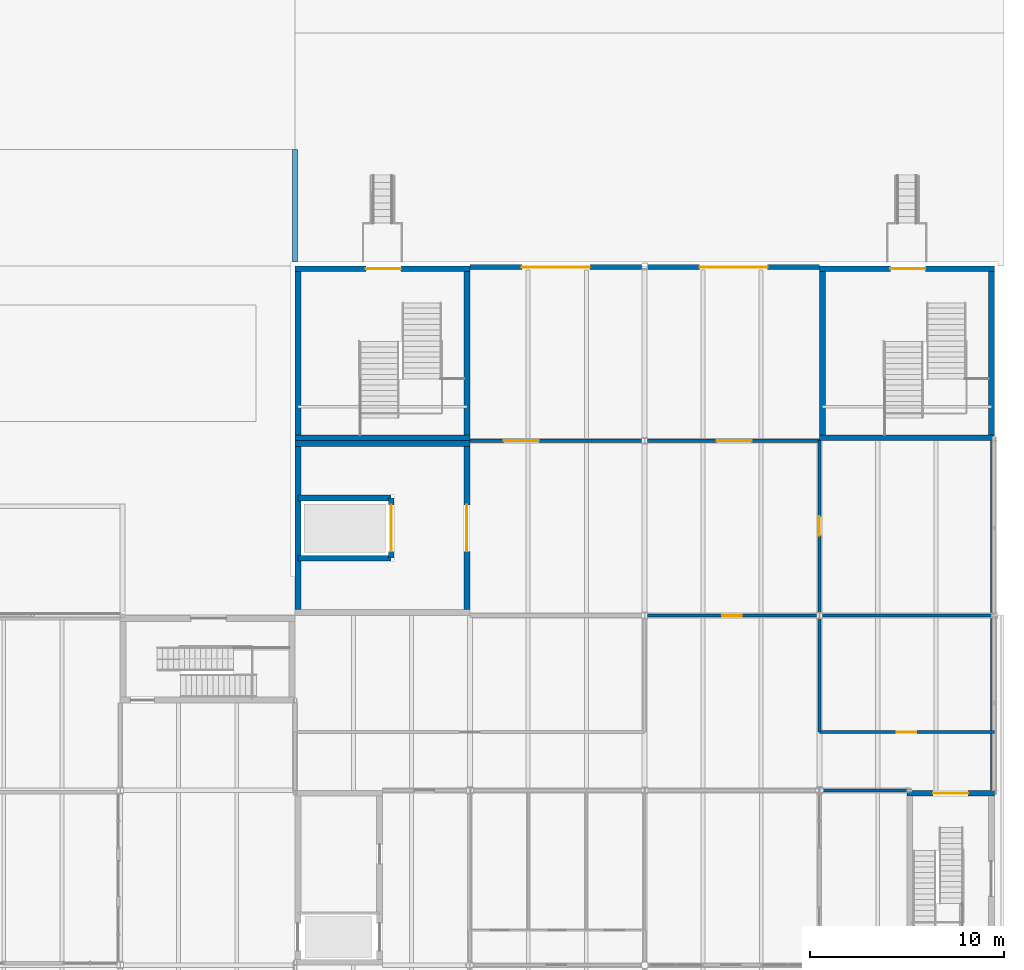
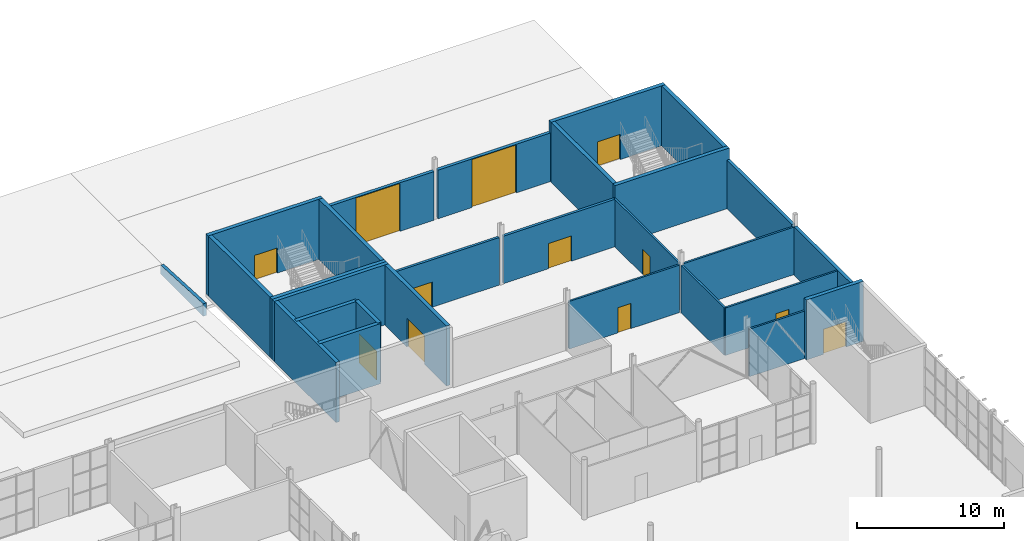
# One storey, part 40 of 63: 28 walls, 12 doors, 12 openings.
"""IFC4 building model written with IfcOpenShell, lengths in metres."""

from ifc_helpers import new_model, si_unit, direction, frame, frame_2d, origin, place, context, subcontext, project, spatial, polyline, rectangle, outline, extrude, material, layer, layer_set, type_object, element, fill, save


model = new_model("IFC4")

# Units and contexts
model_context = context("Model", 3, precision=1e-05, world=origin(), true_north=direction((0.0, 1.0)))
body_context = subcontext(model_context, "Body", "Model", "MODEL_VIEW")
ifc_project = project(units=[si_unit("LENGTHUNIT", "METRE"), si_unit("AREAUNIT", "SQUARE_METRE"), si_unit("VOLUMEUNIT", "CUBIC_METRE"), si_unit("PLANEANGLEUNIT", "RADIAN"), si_unit("MASSUNIT", "GRAM", prefix="KILO")], contexts=[model_context])

# Site, building, storey
site_placement = place(None, origin())
site = spatial("IfcSite", under=ifc_project, at=site_placement, CompositionType="ELEMENT")
building_placement = place(site_placement, origin())
building = spatial("IfcBuilding", under=site, at=building_placement, Name="Halyard Row Museum", CompositionType="ELEMENT")
storey_placement = place(building_placement, origin())
storey = spatial("IfcBuildingStorey", under=building, at=storey_placement, Name="L00", CompositionType="ELEMENT", Elevation=0.0)

# Wall, opening, door
ifc_material_1 = material(Name="Concrete masonry 15 MPa", Category="masonry")
ifc_layer_1 = layer(ifc_material_1, 0.199951171875)
ifc_layer_set_1 = layer_set([ifc_layer_1], Name="Concrete masonry 15 MPa")
wall_type_1 = type_object("IfcWallType", Name="Blockwork wall 200 fire rated", PredefinedType="PARTITIONING", material=ifc_layer_set_1)
wall_1_placement = place(storey_placement, frame((81.0, 54.0, 0.0), z_axis=(0.0, 0.0, 1.0), x_axis=(1.0, 0.0, 0.0)))
wall_1 = element("IfcWall", 1, at=wall_1_placement, inside=storey, type_object=wall_type_1, Name="Partition Receiving / Loading Dock", PredefinedType="PARTITIONING", context=body_context, shape_type="SweptSolid", body=[
    extrude(rectangle(XDim=8.847412109375, YDim=0.199951171875, at=frame_2d((4.423828125, 0.0))), origin(), (0.0, 0.0, 1.0), 3.9580078125),
])
opening_1_placement = place(wall_1_placement, frame((1.755126953125, 0.0, 0.0)))
opening_1 = element("IfcOpeningElement", 2, at=opening_1_placement, cuts=wall_1, Name="Opening DL00-046", PredefinedType="OPENING", context=body_context, shape_type="SweptSolid", body=[
    extrude(rectangle(XDim=1.800048828125, YDim=2.10009765625, at=frame_2d((0.89990234375, 1.050048828125))), frame((0.0, 0.10986328125, 0.0), z_axis=(0.0, -1.0, 0.0), x_axis=(1.0, 0.0, 0.0)), (0.0, 0.0, 1.0), 0.219970703125),
])
ifc_material_2 = material(Name="Timber veneered door leaf and softwood frame", Category="wood")
door_type_1 = type_object("IfcDoorType", Name="Double door 1800 x 2100 fire rated", OperationType="NOTDEFINED", PredefinedType="DOOR", material=ifc_material_2)
door_1_placement = place(opening_1_placement, origin())
door_1 = element("IfcDoor", 3, at=door_1_placement, inside=storey, type_object=door_type_1, Name="Door Loading Dock to Receiving", OperationType="DOUBLE_DOOR_SINGLE_SWING", OverallHeight=2.10009765625, OverallWidth=1.800048828125, PredefinedType="DOOR", context=body_context, shape_type="SweptSolid", body=[
    extrude(rectangle(XDim=1.800048828125, YDim=2.10009765625, at=frame_2d((0.89990234375, 1.050048828125))), frame((0.0, 0.02490234375, 0.0), z_axis=(0.0, -1.0, 0.0), x_axis=(1.0, 0.0, 0.0)), (0.0, 0.0, 1.0), 0.050048828125),
])
fill(opening_1, door_1)

wall_2_placement = place(storey_placement, frame((90.152587890625, 54.0, 0.0), z_axis=(0.0, 0.0, 1.0), x_axis=(1.0, 0.0, 0.0)))
wall_2 = element("IfcWall", 4, at=wall_2_placement, inside=storey, type_object=wall_type_1, Name="Partition Receiving / Loading Dock", PredefinedType="PARTITIONING", context=body_context, shape_type="SweptSolid", body=[
    extrude(rectangle(XDim=8.847412109375, YDim=0.199951171875, at=frame_2d((4.423828125, 0.0))), origin(), (0.0, 0.0, 1.0), 3.9580078125),
])
opening_2_placement = place(wall_2_placement, frame((3.550048828125, 0.0, 0.0)))
opening_2 = element("IfcOpeningElement", 5, at=opening_2_placement, cuts=wall_2, Name="Opening DL00-047", PredefinedType="OPENING", context=body_context, shape_type="SweptSolid", body=[
    extrude(rectangle(XDim=1.800048828125, YDim=2.10009765625, at=frame_2d((0.89990234375, 1.050048828125))), frame((0.0, 0.10986328125, 0.0), z_axis=(0.0, -1.0, 0.0), x_axis=(1.0, 0.0, 0.0)), (0.0, 0.0, 1.0), 0.219970703125),
])
door_2_placement = place(opening_2_placement, origin())
door_2 = element("IfcDoor", 6, at=door_2_placement, inside=storey, type_object=door_type_1, Name="Door Loading Dock to Receiving", OperationType="DOUBLE_DOOR_SINGLE_SWING", OverallHeight=2.10009765625, OverallWidth=1.800048828125, PredefinedType="DOOR", context=body_context, shape_type="SweptSolid", body=[
    extrude(rectangle(XDim=1.800048828125, YDim=2.10009765625, at=frame_2d((0.89990234375, 1.050048828125))), frame((0.0, 0.02490234375, 0.0), z_axis=(0.0, -1.0, 0.0), x_axis=(1.0, 0.0, 0.0)), (0.0, 0.0, 1.0), 0.050048828125),
])
fill(opening_2, door_2)

# Walls
ifc_material_3 = material(Name="Precast concrete C40/50", Category="concrete")
ifc_layer_2 = layer(ifc_material_3, 0.25)
ifc_layer_set_2 = layer_set([ifc_layer_2], Name="Precast concrete C40/50")
wall_type_2 = type_object("IfcWallType", Name="Board-formed concrete wall 250", PredefinedType="SOLIDWALL", material=ifc_layer_set_2)
for number, where, z_axis, x_axis, name in (
    (7, (107.93505859375, 36.0, 0.0), (0.0, 0.0, 1.0), (0.0, 1.0, 0.0), "Wall WL00-801"),
    (8, (107.93505859375, 45.14990234375, 0.0), (0.0, 0.0, 1.0), (0.0, 1.0, 0.0), "Wall WL00-802"),
):
    element("IfcWall", number, at=place(storey_placement, frame(where, z_axis=z_axis, x_axis=x_axis)), inside=storey, type_object=wall_type_2, Name=name, PredefinedType="SOLIDWALL", context=body_context, shape_type="SweptSolid", body=[
        extrude(rectangle(XDim=8.85009765625, YDim=0.25, at=frame_2d((4.425048828125, 0.0))), origin(), (0.0, 0.0, 1.0), 4.050048828125),
    ])

# Wall, opening, door
wall_3_placement = place(storey_placement, frame((90.14990234375, 62.93505859375, 0.0), z_axis=(0.0, 0.0, 1.0), x_axis=(1.0, 0.0, 0.0)))
wall_3 = element("IfcWall", 9, at=wall_3_placement, inside=storey, type_object=wall_type_2, Name="Wall WL00-803", PredefinedType="SOLIDWALL", context=body_context, shape_type="SweptSolid", body=[
    extrude(rectangle(XDim=8.85009765625, YDim=0.25, at=frame_2d((4.425048828125, 0.0))), origin(), (0.0, 0.0, 1.0), 4.050048828125),
])
opening_3_placement = place(wall_3_placement, frame((2.675048828125, 0.0, 0.0)))
opening_3 = element("IfcOpeningElement", 10, at=opening_3_placement, cuts=wall_3, Name="Opening DL00-404", PredefinedType="OPENING", context=body_context, shape_type="SweptSolid", body=[
    extrude(rectangle(XDim=3.5, YDim=4.0, at=frame_2d((1.75, 2.0))), frame((0.0, 0.135009765625, 0.0), z_axis=(0.0, -1.0, 0.0), x_axis=(1.0, 0.0, 0.0)), (0.0, 0.0, 1.0), 0.27001953125),
])
ifc_material_4 = material(Name="Galvanised steel door leaf and frame", Category="steel")
door_type_2 = type_object("IfcDoorType", Name="Door DE3 roller shutter fire rated 3500 x 4000", OperationType="NOTDEFINED", PredefinedType="DOOR", material=ifc_material_4)
door_3_placement = place(opening_3_placement, origin())
door_3 = element("IfcDoor", 11, at=door_3_placement, inside=storey, type_object=door_type_2, Name="Door DL00-404", OperationType="ROLLINGUP", OverallHeight=4.0, OverallWidth=3.5, PredefinedType="DOOR", context=body_context, shape_type="SweptSolid", body=[
    extrude(rectangle(XDim=3.5, YDim=4.0, at=frame_2d((1.75, 2.0))), frame((0.0, 0.02490234375, 0.0), z_axis=(0.0, -1.0, 0.0), x_axis=(1.0, 0.0, 0.0)), (0.0, 0.0, 1.0), 0.050048828125),
])
fill(opening_3, door_3)

wall_4_placement = place(storey_placement, frame((81.0, 62.93505859375, 0.0), z_axis=(0.0, 0.0, 1.0), x_axis=(1.0, 0.0, 0.0)))
wall_4 = element("IfcWall", 12, at=wall_4_placement, inside=storey, type_object=wall_type_2, Name="Wall WL00-804", PredefinedType="SOLIDWALL", context=body_context, shape_type="SweptSolid", body=[
    extrude(rectangle(XDim=8.85009765625, YDim=0.25, at=frame_2d((4.425048828125, 0.0))), origin(), (0.0, 0.0, 1.0), 4.050048828125),
])
opening_4_placement = place(wall_4_placement, frame((2.675048828125, 0.0, 0.0)))
opening_4 = element("IfcOpeningElement", 13, at=opening_4_placement, cuts=wall_4, Name="Opening DL00-405", PredefinedType="OPENING", context=body_context, shape_type="SweptSolid", body=[
    extrude(rectangle(XDim=3.5, YDim=4.0, at=frame_2d((1.75, 2.0))), frame((0.0, 0.135009765625, 0.0), z_axis=(0.0, -1.0, 0.0), x_axis=(1.0, 0.0, 0.0)), (0.0, 0.0, 1.0), 0.27001953125),
])
door_4_placement = place(opening_4_placement, origin())
door_4 = element("IfcDoor", 14, at=door_4_placement, inside=storey, type_object=door_type_2, Name="Door DL00-405", OperationType="ROLLINGUP", OverallHeight=4.0, OverallWidth=3.5, PredefinedType="DOOR", context=body_context, shape_type="SweptSolid", body=[
    extrude(rectangle(XDim=3.5, YDim=4.0, at=frame_2d((1.75, 2.0))), frame((0.0, 0.02490234375, 0.0), z_axis=(0.0, -1.0, 0.0), x_axis=(1.0, 0.0, 0.0)), (0.0, 0.0, 1.0), 0.050048828125),
])
fill(opening_4, door_4)

# Walls
ifc_material_5 = material(Name="Fire-resisting plasterboard on steel studs", Category="steel")
ifc_layer_3 = layer(ifc_material_5, 0.14990234375)
ifc_layer_set_3 = layer_set([ifc_layer_3], Name="Fire-resisting plasterboard on steel studs")
wall_type_3 = type_object("IfcWallType", Name="Compartment wall 150 fire rated", PredefinedType="PARTITIONING", material=ifc_layer_set_3)
wall_5_placement = place(storey_placement, frame((99.175048828125, 36.0, 0.0), z_axis=(0.0, 0.0, 1.0), x_axis=(1.0, 0.0, 0.0)))
element("IfcWall", 15, at=wall_5_placement, inside=storey, type_object=wall_type_3, Name="Partition Stair Lobby K2C / Object Route", PredefinedType="PARTITIONING", context=body_context, shape_type="SweptSolid", body=[
    extrude(rectangle(XDim=4.324951171875, YDim=0.14990234375, at=frame_2d((2.16259765625, 0.0))), origin(), (0.0, 0.0, 1.0), 3.9580078125),
])
wall_6_placement = place(storey_placement, frame((99.0, 39.0, 0.0), z_axis=(0.0, 0.0, 1.0), x_axis=(0.0, 1.0, 0.0)))
element("IfcWall", 16, at=wall_6_placement, inside=storey, type_object=wall_type_3, Name="Partition Object Route / Conservation Workshop", PredefinedType="PARTITIONING", context=body_context, shape_type="SweptSolid", body=[
    extrude(rectangle(XDim=5.839599609375, YDim=0.14990234375, at=frame_2d((2.919921875, 0.0))), origin(), (0.0, 0.0, 1.0), 3.9580078125),
])

# Wall, opening, door
wall_7_placement = place(storey_placement, frame((99.0, 39.0, 0.0), z_axis=(0.0, 0.0, 1.0), x_axis=(1.0, 0.0, 0.0)))
wall_7 = element("IfcWall", 17, at=wall_7_placement, inside=storey, type_object=wall_type_3, Name="Partition Object Route / Conservation Workshop", PredefinedType="PARTITIONING", context=body_context, shape_type="SweptSolid", body=[
    extrude(rectangle(XDim=9.0, YDim=0.14990234375, at=frame_2d((4.5, 0.0))), origin(), (0.0, 0.0, 1.0), 3.9580078125),
])
opening_5_placement = place(wall_7_placement, frame((3.985107421875, 0.0, 0.0)))
opening_5 = element("IfcOpeningElement", 18, at=opening_5_placement, cuts=wall_7, Name="Opening DL00-044", PredefinedType="OPENING", context=body_context, shape_type="SweptSolid", body=[
    extrude(rectangle(XDim=1.0, YDim=2.10009765625, at=frame_2d((0.5, 1.050048828125))), frame((0.0, 0.0849609375, 0.0), z_axis=(0.0, -1.0, 0.0), x_axis=(1.0, 0.0, 0.0)), (0.0, 0.0, 1.0), 0.169921875),
])
ifc_material_6 = material(Name="Fire-resisting timber door leaf and steel frame", Category="steel")
door_type_3 = type_object("IfcDoorType", Name="Compartment door 1000 x 2100 fire rated", OperationType="NOTDEFINED", PredefinedType="DOOR", material=ifc_material_6)
door_5_placement = place(opening_5_placement, origin())
door_5 = element("IfcDoor", 19, at=door_5_placement, inside=storey, type_object=door_type_3, Name="Door Conservation Workshop to Object Route", OperationType="SINGLE_SWING_LEFT", OverallHeight=2.10009765625, OverallWidth=1.0, PredefinedType="DOOR", context=body_context, shape_type="SweptSolid", body=[
    extrude(rectangle(XDim=1.0, YDim=2.10009765625, at=frame_2d((0.5, 1.050048828125))), frame((0.0, 0.02490234375, 0.0), z_axis=(0.0, -1.0, 0.0), x_axis=(1.0, 0.0, 0.0)), (0.0, 0.0, 1.0), 0.050048828125),
])
fill(opening_5, door_5)

wall_8_placement = place(storey_placement, frame((90.154541015625, 45.0, 0.0), z_axis=(0.0, 0.0, 1.0), x_axis=(1.0, 0.0, 0.0)))
wall_8 = element("IfcWall", 20, at=wall_8_placement, inside=storey, type_object=wall_type_3, Name="Partition Object Route / Receiving", PredefinedType="PARTITIONING", context=body_context, shape_type="SweptSolid", body=[
    extrude(rectangle(XDim=8.69091796875, YDim=0.14990234375, at=frame_2d((4.345458984375, 0.0))), origin(), (0.0, 0.0, 1.0), 3.9580078125),
])
opening_6_placement = place(wall_8_placement, frame((3.85009765625, 0.0, 0.0)))
opening_6 = element("IfcOpeningElement", 21, at=opening_6_placement, cuts=wall_8, Name="Opening DL00-033", PredefinedType="OPENING", context=body_context, shape_type="SweptSolid", body=[
    extrude(rectangle(XDim=1.0, YDim=2.10009765625, at=frame_2d((0.5, 1.050048828125))), frame((0.0, 0.0849609375, 0.0), z_axis=(0.0, -1.0, 0.0), x_axis=(1.0, 0.0, 0.0)), (0.0, 0.0, 1.0), 0.169921875),
])
door_6_placement = place(opening_6_placement, frame((1.0, 0.0, 0.0), z_axis=(0.0, 0.0, 1.0), x_axis=(-1.0, 0.0, 0.0)))
door_6 = element("IfcDoor", 22, at=door_6_placement, inside=storey, type_object=door_type_3, Name="Door Object Route to Receiving", OperationType="SINGLE_SWING_RIGHT", OverallHeight=2.10009765625, OverallWidth=1.0, PredefinedType="DOOR", context=body_context, shape_type="SweptSolid", body=[
    extrude(rectangle(XDim=1.0, YDim=2.10009765625, at=frame_2d((0.5, 1.050048828125))), frame((0.0, 0.02490234375, 0.0), z_axis=(0.0, -1.0, 0.0), x_axis=(1.0, 0.0, 0.0)), (0.0, 0.0, 1.0), 0.050048828125),
])
fill(opening_6, door_6)

# Wall
wall_9_placement = place(storey_placement, frame((99.154541015625, 45.0, 0.0), z_axis=(0.0, 0.0, 1.0), x_axis=(1.0, 0.0, 0.0)))
element("IfcWall", 23, at=wall_9_placement, inside=storey, type_object=wall_type_3, Name="Partition Conservation Workshop / Quarantine", PredefinedType="PARTITIONING", context=body_context, shape_type="SweptSolid", body=[
    extrude(rectangle(XDim=8.695556640625, YDim=0.14990234375, at=frame_2d((4.34765625, 0.0))), origin(), (0.0, 0.0, 1.0), 3.9580078125),
])

# Wall, opening, door
wall_10_placement = place(storey_placement, frame((99.0, 45.160400390625, 0.0), z_axis=(0.0, 0.0, 1.0), x_axis=(0.0, 1.0, 0.0)))
wall_10 = element("IfcWall", 24, at=wall_10_placement, inside=storey, type_object=wall_type_3, Name="Partition Receiving / Quarantine", PredefinedType="PARTITIONING", context=body_context, shape_type="SweptSolid", body=[
    extrude(rectangle(XDim=8.839599609375, YDim=0.14990234375, at=frame_2d((4.419921875, 0.0))), origin(), (0.0, 0.0, 1.0), 3.9580078125),
])
opening_7_placement = place(wall_10_placement, frame((3.949951171875, 0.0, 0.0)))
opening_7 = element("IfcOpeningElement", 25, at=opening_7_placement, cuts=wall_10, Name="Opening DL00-045", PredefinedType="OPENING", context=body_context, shape_type="SweptSolid", body=[
    extrude(rectangle(XDim=1.0, YDim=2.10009765625, at=frame_2d((0.5, 1.050048828125))), frame((0.0, 0.0849609375, 0.0), z_axis=(0.0, -1.0, 0.0), x_axis=(1.0, 0.0, 0.0)), (0.0, 0.0, 1.0), 0.169921875),
])
door_7_placement = place(opening_7_placement, frame((1.0, 0.0, 0.0), z_axis=(0.0, 0.0, 1.0), x_axis=(-1.0, 0.0, 0.0)))
door_7 = element("IfcDoor", 26, at=door_7_placement, inside=storey, type_object=door_type_3, Name="Door Quarantine to Receiving", OperationType="SINGLE_SWING_LEFT", OverallHeight=2.10009765625, OverallWidth=1.0, PredefinedType="DOOR", context=body_context, shape_type="SweptSolid", body=[
    extrude(rectangle(XDim=1.0, YDim=2.10009765625, at=frame_2d((0.5, 1.050048828125))), frame((0.0, 0.02490234375, 0.0), z_axis=(0.0, -1.0, 0.0), x_axis=(1.0, 0.0, 0.0)), (0.0, 0.0, 1.0), 0.050048828125),
])
fill(opening_7, door_7)

ifc_material_7 = material(Name="Concrete 40 MPa", Category="concrete")
ifc_layer_4 = layer(ifc_material_7, 0.300048828125)
ifc_layer_set_4 = layer_set([ifc_layer_4], Name="Concrete 40 MPa")
wall_type_4 = type_object("IfcWallType", Name="Core wall 300 lift shaft", PredefinedType="SOLIDWALL", material=ifc_layer_set_4)
wall_11_placement = place(storey_placement, frame((80.85009765625, 45.300048828125, 0.0), z_axis=(0.0, 0.0, 1.0), x_axis=(0.0, 1.0, 0.0)))
wall_11 = element("IfcWall", 27, at=wall_11_placement, inside=storey, type_object=wall_type_4, Name="Core wall K8 E L00", PredefinedType="SOLIDWALL", context=body_context, shape_type="SweptSolid", body=[
    extrude(rectangle(XDim=8.39990234375, YDim=0.300048828125, at=frame_2d((4.199951171875, 0.0))), origin(), (0.0, 0.0, 1.0), 5.0),
])
opening_8_placement = place(wall_11_placement, frame((3.0, 0.0, 0.0)))
opening_8 = element("IfcOpeningElement", 28, at=opening_8_placement, cuts=wall_11, Name="Opening DL00-023", PredefinedType="OPENING", context=body_context, shape_type="SweptSolid", body=[
    extrude(rectangle(XDim=2.39990234375, YDim=2.39990234375, at=frame_2d((1.199951171875, 1.199951171875))), frame((0.0, 0.159912109375, 0.0), z_axis=(0.0, -1.0, 0.0), x_axis=(1.0, 0.0, 0.0)), (0.0, 0.0, 1.0), 0.320068359375),
])
ifc_material_8 = material(Name="Timber veneered door leaf and softwood frame", Category="wood")
door_type_4 = type_object("IfcDoorType", Name="Double door 2400 x 2400 gallery fire rated", OperationType="NOTDEFINED", PredefinedType="DOOR", material=ifc_material_8)
door_8_placement = place(opening_8_placement, frame((2.39990234375, 0.0, 0.0), z_axis=(0.0, 0.0, 1.0), x_axis=(-1.0, 0.0, 0.0)))
door_8 = element("IfcDoor", 29, at=door_8_placement, inside=storey, type_object=door_type_4, Name="Goods lobby door K8 L00", OperationType="DOUBLE_DOOR_SINGLE_SWING", OverallHeight=2.39990234375, OverallWidth=2.39990234375, PredefinedType="DOOR", context=body_context, shape_type="SweptSolid", body=[
    extrude(rectangle(XDim=2.39990234375, YDim=2.39990234375, at=frame_2d((1.199951171875, 1.199951171875))), frame((0.0, 0.02490234375, 0.0), z_axis=(0.0, -1.0, 0.0), x_axis=(1.0, 0.0, 0.0)), (0.0, 0.0, 1.0), 0.050048828125),
])
fill(opening_8, door_8)

# Walls
wall_12_placement = place(storey_placement, frame((72.0, 53.85009765625, 0.0), z_axis=(0.0, 0.0, 1.0), x_axis=(1.0, 0.0, 0.0)))
element("IfcWall", 30, at=wall_12_placement, inside=storey, type_object=wall_type_4, Name="Core wall K8 N L00", PredefinedType="SOLIDWALL", context=body_context, shape_type="SweptSolid", body=[
    extrude(rectangle(XDim=9.0, YDim=0.300048828125, at=frame_2d((4.5, 0.0))), origin(), (0.0, 0.0, 1.0), 5.0),
])
wall_13_placement = place(storey_placement, frame((72.14990234375, 45.300048828125, 0.0), z_axis=(0.0, 0.0, 1.0), x_axis=(0.0, 1.0, 0.0)))
element("IfcWall", 31, at=wall_13_placement, inside=storey, type_object=wall_type_4, Name="Core wall K8 W L00", PredefinedType="SOLIDWALL", context=body_context, shape_type="SweptSolid", body=[
    extrude(rectangle(XDim=8.39990234375, YDim=0.300048828125, at=frame_2d((4.199951171875, 0.0))), origin(), (0.0, 0.0, 1.0), 5.0),
])

# Wall, opening, door
wall_14_placement = place(storey_placement, frame((76.949951171875, 47.949951171875, 0.0), z_axis=(0.0, 0.0, 1.0), x_axis=(0.0, 1.0, 0.0)))
wall_14 = element("IfcWall", 32, at=wall_14_placement, inside=storey, type_object=wall_type_4, Name="Shaft wall GL1 front L00", PredefinedType="SOLIDWALL", context=body_context, shape_type="SweptSolid", body=[
    extrude(rectangle(XDim=3.10009765625, YDim=0.300048828125, at=frame_2d((1.550048828125, 0.0))), origin(), (0.0, 0.0, 1.0), 5.0),
])
opening_9_placement = place(wall_14_placement, frame((0.35009765625, 0.0, 0.0)))
opening_9 = element("IfcOpeningElement", 33, at=opening_9_placement, cuts=wall_14, Name="Opening LDGL1-L00", PredefinedType="OPENING", context=body_context, shape_type="SweptSolid", body=[
    extrude(rectangle(XDim=2.39990234375, YDim=2.39990234375, at=frame_2d((1.199951171875, 1.199951171875))), frame((0.0, 0.159912109375, 0.0), z_axis=(0.0, -1.0, 0.0), x_axis=(1.0, 0.0, 0.0)), (0.0, 0.0, 1.0), 0.320068359375),
])
ifc_material_9 = material(Name="Stainless steel sliding car and landing doors", Category="steel")
door_type_5 = type_object("IfcDoorType", Name="Lift landing door 2400 x 2400", OperationType="SLIDING_TO_LEFT", PredefinedType="DOOR", material=ifc_material_9)
door_9_placement = place(opening_9_placement, origin())
door_9 = element("IfcDoor", 34, at=door_9_placement, inside=storey, type_object=door_type_5, Name="Landing door GL1 L00", OperationType="DOUBLE_DOOR_SLIDING", OverallHeight=2.39990234375, OverallWidth=2.39990234375, PredefinedType="DOOR", context=body_context, shape_type="SweptSolid", body=[
    extrude(rectangle(XDim=2.39990234375, YDim=2.39990234375, at=frame_2d((1.199951171875, 1.199951171875))), frame((0.0, 0.02490234375, 0.0), z_axis=(0.0, -1.0, 0.0), x_axis=(1.0, 0.0, 0.0)), (0.0, 0.0, 1.0), 0.050048828125),
])
fill(opening_9, door_9)

# Walls
for number, where, z_axis, x_axis, name in (
    (35, (72.14990234375, 47.949951171875, 0.0), (0.0, 0.0, 1.0), (1.0, 0.0, 0.0), "Shaft wall GL1 A L00"),
    (36, (72.14990234375, 51.050048828125, 0.0), (0.0, 0.0, 1.0), (1.0, 0.0, 0.0), "Shaft wall GL1 B L00"),
):
    element("IfcWall", number, at=place(storey_placement, frame(where, z_axis=z_axis, x_axis=x_axis)), inside=storey, type_object=wall_type_4, Name=name, PredefinedType="SOLIDWALL", context=body_context, shape_type="SweptSolid", body=[
        extrude(rectangle(XDim=4.800048828125, YDim=0.300048828125, at=frame_2d((2.39990234375, 0.0))), origin(), (0.0, 0.0, 1.0), 5.0),
    ])

# Wall, opening, door
ifc_material_10 = material(Name="Concrete 40 MPa", Category="concrete")
ifc_layer_5 = layer(ifc_material_10, 0.300048828125)
ifc_layer_set_5 = layer_set([ifc_layer_5], Name="Concrete 40 MPa")
wall_type_5 = type_object("IfcWallType", Name="Exitway wall 300 reinforced concrete", PredefinedType="SOLIDWALL", material=ifc_layer_set_5)
wall_15_placement = place(storey_placement, frame((103.5, 35.85009765625, 0.0), z_axis=(0.0, 0.0, 1.0), x_axis=(1.0, 0.0, 0.0)))
wall_15 = element("IfcWall", 37, at=wall_15_placement, inside=storey, type_object=wall_type_5, Name="Core wall K2C N L00", PredefinedType="SOLIDWALL", context=body_context, shape_type="SweptSolid", body=[
    extrude(rectangle(XDim=4.5, YDim=0.300048828125, at=frame_2d((2.25, 0.0))), origin(), (0.0, 0.0, 1.0), 5.0),
])
opening_10_placement = place(wall_15_placement, frame((1.35009765625, 0.0, 0.0)))
opening_10 = element("IfcOpeningElement", 38, at=opening_10_placement, cuts=wall_15, Name="Opening DL00-014", PredefinedType="OPENING", context=body_context, shape_type="SweptSolid", body=[
    extrude(rectangle(XDim=1.800048828125, YDim=2.10009765625, at=frame_2d((0.89990234375, 1.050048828125))), frame((0.0, 0.159912109375, 0.0), z_axis=(0.0, -1.0, 0.0), x_axis=(1.0, 0.0, 0.0)), (0.0, 0.0, 1.0), 0.320068359375),
])
ifc_material_11 = material(Name="Fire-resisting timber door leaf and steel frame", Category="steel")
door_type_6 = type_object("IfcDoorType", Name="Exitway door 1800 x 2100 fire rated", OperationType="NOTDEFINED", PredefinedType="DOOR", material=ifc_material_11)
door_10_placement = place(opening_10_placement, frame((1.800048828125, 0.0, 0.0), z_axis=(0.0, 0.0, 1.0), x_axis=(-1.0, 0.0, 0.0)))
door_10 = element("IfcDoor", 39, at=door_10_placement, inside=storey, type_object=door_type_6, Name="Exitway door K2C L00", OperationType="DOUBLE_DOOR_SINGLE_SWING", OverallHeight=2.10009765625, OverallWidth=1.800048828125, PredefinedType="DOOR", context=body_context, shape_type="SweptSolid", body=[
    extrude(rectangle(XDim=1.800048828125, YDim=2.10009765625, at=frame_2d((0.89990234375, 1.050048828125))), frame((0.0, 0.02490234375, 0.0), z_axis=(0.0, -1.0, 0.0), x_axis=(1.0, 0.0, 0.0)), (0.0, 0.0, 1.0), 0.050048828125),
])
fill(opening_10, door_10)

# Walls
wall_16_placement = place(storey_placement, frame((72.0, 54.14990234375, 0.0), z_axis=(0.0, 0.0, 1.0), x_axis=(1.0, 0.0, 0.0)))
element("IfcWall", 40, at=wall_16_placement, inside=storey, type_object=wall_type_5, Name="Core wall K5A S L00", PredefinedType="SOLIDWALL", context=body_context, shape_type="SweptSolid", body=[
    extrude(rectangle(XDim=9.0, YDim=0.300048828125, at=frame_2d((4.5, 0.0))), origin(), (0.0, 0.0, 1.0), 5.0),
])
wall_17_placement = place(storey_placement, frame((80.85009765625, 54.300048828125, 0.0), z_axis=(0.0, 0.0, 1.0), x_axis=(0.0, 1.0, 0.0)))
element("IfcWall", 41, at=wall_17_placement, inside=storey, type_object=wall_type_5, Name="Core wall K5A E L00", PredefinedType="SOLIDWALL", context=body_context, shape_type="SweptSolid", body=[
    extrude(rectangle(XDim=8.39990234375, YDim=0.300048828125, at=frame_2d((4.199951171875, 0.0))), origin(), (0.0, 0.0, 1.0), 5.0),
])

# Wall, opening, door
wall_18_placement = place(storey_placement, frame((72.0, 62.85009765625, 0.0), z_axis=(0.0, 0.0, 1.0), x_axis=(1.0, 0.0, 0.0)))
wall_18 = element("IfcWall", 42, at=wall_18_placement, inside=storey, type_object=wall_type_5, Name="Core wall K5A N L00", PredefinedType="SOLIDWALL", context=body_context, shape_type="SweptSolid", body=[
    extrude(rectangle(XDim=9.0, YDim=0.300048828125, at=frame_2d((4.5, 0.0))), origin(), (0.0, 0.0, 1.0), 5.0),
])
opening_11_placement = place(wall_18_placement, frame((3.64990234375, 0.0, 0.0)))
opening_11 = element("IfcOpeningElement", 43, at=opening_11_placement, cuts=wall_18, Name="Opening DL00-021", PredefinedType="OPENING", context=body_context, shape_type="SweptSolid", body=[
    extrude(rectangle(XDim=1.800048828125, YDim=2.10009765625, at=frame_2d((0.89990234375, 1.050048828125))), frame((0.0, 0.159912109375, 0.0), z_axis=(0.0, -1.0, 0.0), x_axis=(1.0, 0.0, 0.0)), (0.0, 0.0, 1.0), 0.320068359375),
])
door_11_placement = place(opening_11_placement, origin())
door_11 = element("IfcDoor", 44, at=door_11_placement, inside=storey, type_object=door_type_6, Name="Exitway door K5A exit", OperationType="DOUBLE_DOOR_SINGLE_SWING", OverallHeight=2.10009765625, OverallWidth=1.800048828125, PredefinedType="DOOR", context=body_context, shape_type="SweptSolid", body=[
    extrude(rectangle(XDim=1.800048828125, YDim=2.10009765625, at=frame_2d((0.89990234375, 1.050048828125))), frame((0.0, 0.02490234375, 0.0), z_axis=(0.0, -1.0, 0.0), x_axis=(1.0, 0.0, 0.0)), (0.0, 0.0, 1.0), 0.050048828125),
])
fill(opening_11, door_11)

# Walls
wall_19_placement = place(storey_placement, frame((72.14990234375, 54.300048828125, 0.0), z_axis=(0.0, 0.0, 1.0), x_axis=(0.0, 1.0, 0.0)))
element("IfcWall", 45, at=wall_19_placement, inside=storey, type_object=wall_type_5, Name="Core wall K5A W L00", PredefinedType="SOLIDWALL", context=body_context, shape_type="SweptSolid", body=[
    extrude(rectangle(XDim=8.39990234375, YDim=0.300048828125, at=frame_2d((4.199951171875, 0.0))), origin(), (0.0, 0.0, 1.0), 5.0),
])
wall_20_placement = place(storey_placement, frame((99.0, 54.14990234375, 0.0), z_axis=(0.0, 0.0, 1.0), x_axis=(1.0, 0.0, 0.0)))
element("IfcWall", 46, at=wall_20_placement, inside=storey, type_object=wall_type_5, Name="Core wall K5B S L00", PredefinedType="SOLIDWALL", context=body_context, shape_type="SweptSolid", body=[
    extrude(rectangle(XDim=9.0, YDim=0.300048828125, at=frame_2d((4.5, 0.0))), origin(), (0.0, 0.0, 1.0), 5.0),
])
wall_21_placement = place(storey_placement, frame((107.85009765625, 54.300048828125, 0.0), z_axis=(0.0, 0.0, 1.0), x_axis=(0.0, 1.0, 0.0)))
element("IfcWall", 47, at=wall_21_placement, inside=storey, type_object=wall_type_5, Name="Core wall K5B E L00", PredefinedType="SOLIDWALL", context=body_context, shape_type="SweptSolid", body=[
    extrude(rectangle(XDim=8.39990234375, YDim=0.300048828125, at=frame_2d((4.199951171875, 0.0))), origin(), (0.0, 0.0, 1.0), 5.0),
])

# Wall, opening, door
wall_22_placement = place(storey_placement, frame((99.0, 62.85009765625, 0.0), z_axis=(0.0, 0.0, 1.0), x_axis=(1.0, 0.0, 0.0)))
wall_22 = element("IfcWall", 48, at=wall_22_placement, inside=storey, type_object=wall_type_5, Name="Core wall K5B N L00", PredefinedType="SOLIDWALL", context=body_context, shape_type="SweptSolid", body=[
    extrude(rectangle(XDim=9.0, YDim=0.300048828125, at=frame_2d((4.5, 0.0))), origin(), (0.0, 0.0, 1.0), 5.0),
])
opening_12_placement = place(wall_22_placement, frame((3.64990234375, 0.0, 0.0)))
opening_12 = element("IfcOpeningElement", 49, at=opening_12_placement, cuts=wall_22, Name="Opening DL00-022", PredefinedType="OPENING", context=body_context, shape_type="SweptSolid", body=[
    extrude(rectangle(XDim=1.800048828125, YDim=2.10009765625, at=frame_2d((0.89990234375, 1.050048828125))), frame((0.0, 0.159912109375, 0.0), z_axis=(0.0, -1.0, 0.0), x_axis=(1.0, 0.0, 0.0)), (0.0, 0.0, 1.0), 0.320068359375),
])
door_12_placement = place(opening_12_placement, origin())
door_12 = element("IfcDoor", 50, at=door_12_placement, inside=storey, type_object=door_type_6, Name="Exitway door K5B exit", OperationType="DOUBLE_DOOR_SINGLE_SWING", OverallHeight=2.10009765625, OverallWidth=1.800048828125, PredefinedType="DOOR", context=body_context, shape_type="SweptSolid", body=[
    extrude(rectangle(XDim=1.800048828125, YDim=2.10009765625, at=frame_2d((0.89990234375, 1.050048828125))), frame((0.0, 0.02490234375, 0.0), z_axis=(0.0, -1.0, 0.0), x_axis=(1.0, 0.0, 0.0)), (0.0, 0.0, 1.0), 0.050048828125),
])
fill(opening_12, door_12)

# Walls
wall_23_placement = place(storey_placement, frame((99.14990234375, 54.300048828125, 0.0), z_axis=(0.0, 0.0, 1.0), x_axis=(0.0, 1.0, 0.0)))
element("IfcWall", 51, at=wall_23_placement, inside=storey, type_object=wall_type_5, Name="Core wall K5B W L00", PredefinedType="SOLIDWALL", context=body_context, shape_type="SweptSolid", body=[
    extrude(rectangle(XDim=8.39990234375, YDim=0.300048828125, at=frame_2d((4.199951171875, 0.0))), origin(), (0.0, 0.0, 1.0), 5.0),
])
ifc_material_12 = material(Name="Concrete 40 MPa", Category="concrete")
ifc_layer_6 = layer(ifc_material_12, 0.25)
ifc_layer_set_6 = layer_set([ifc_layer_6], Name="Concrete 40 MPa")
wall_type_6 = type_object("IfcWallType", Name="Retaining wall 250 board-formed concrete", PredefinedType="SOLIDWALL", material=ifc_layer_set_6)
wall_24_placement = place(storey_placement, frame((72.0, 63.199951171875, -1.949951171875), z_axis=(0.0, 0.0, 1.0), x_axis=(0.0, 1.0, 0.0)))
element("IfcWall", 52, at=wall_24_placement, inside=storey, type_object=wall_type_6, Name="Yard retaining wall", PredefinedType="SOLIDWALL", context=body_context, shape_type="SweptSolid", body=[
    extrude(outline(polyline([(0.0, 0.0), (5.800048828125, 0.0), (5.800048828125, 0.75), (0.0, 1.0400390625), (0.0, 0.0)])), frame((0.0, 0.125, 0.0), z_axis=(0.0, -1.0, 0.0), x_axis=(1.0, 0.0, 0.0)), (0.0, 0.0, 1.0), 0.25),
])

save(model, "model.ifc")
